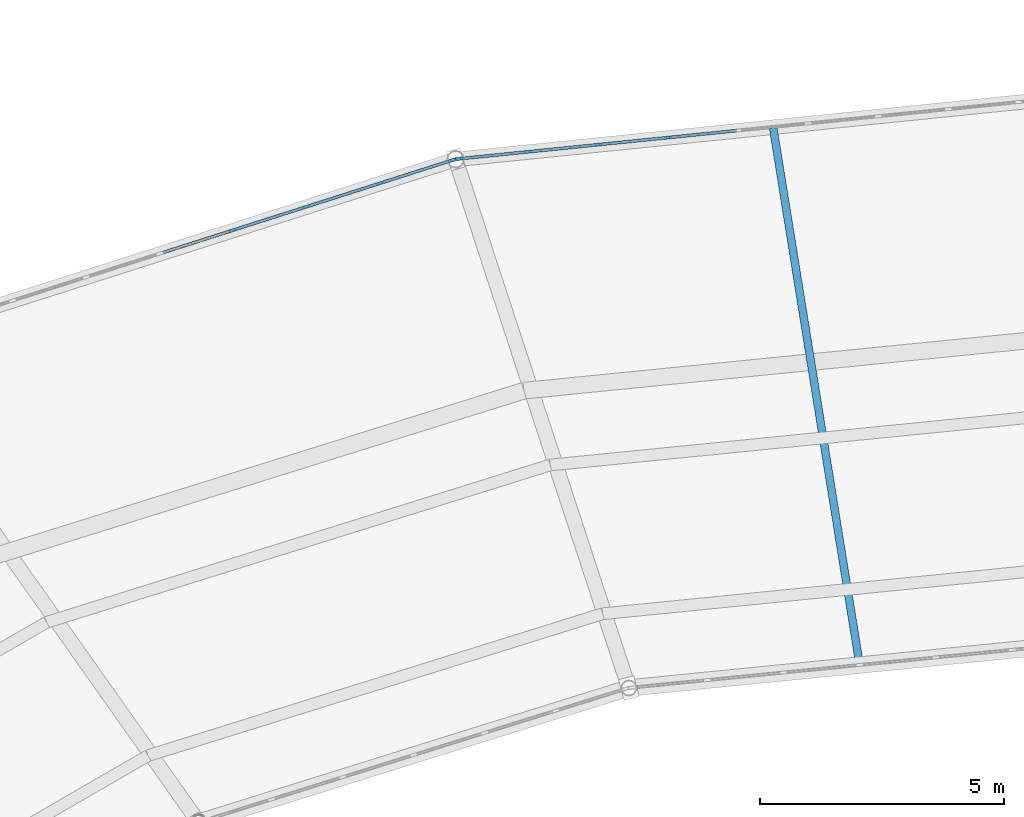
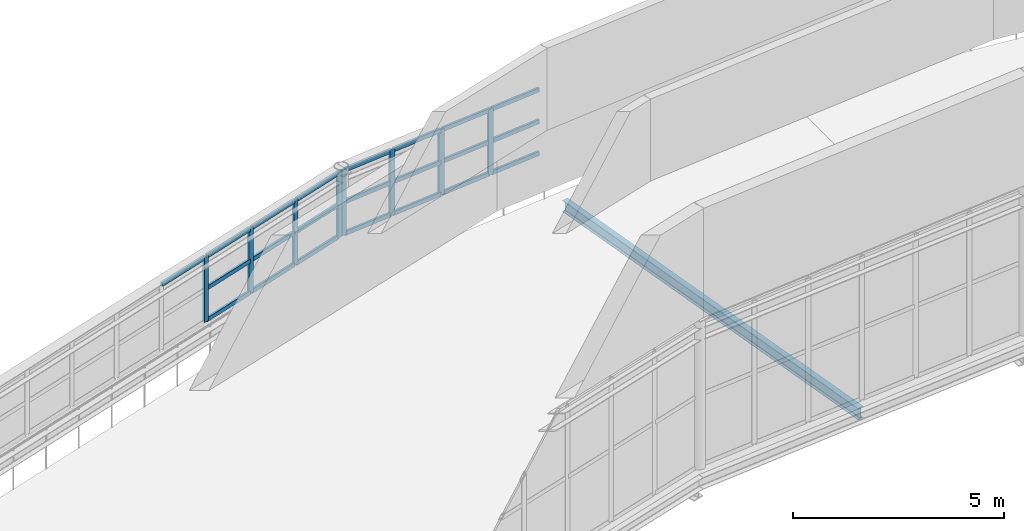
# One storey, part 51 of 123: 30 members, 1 beam, 2 elements without a shape of their own.
"""IFC4 building model written with IfcOpenShell, lengths in metres."""

import ifcopenshell
import ifcopenshell.guid

model = None  # the IFC model being written
_history = None  # IfcOwnerHistory: only IFC2X3 demands one
_inside = {}  # id of a spatial element -> (the spatial element, [elements in it])
_under = {}  # id of a project, library or spatial element -> (it, [spatial elements below it])
_declared = {}  # id of a project -> (the project, [libraries it declares])
_typed = {}  # id of a type object -> (the type object, [elements of that type])
_made_of = {}  # id of a material, layer set ... -> (it, [elements and type objects made of it])


def new_model(schema):
    """Start an empty IFC model of exactly this schema.

    Asked for "IFC4X3", IfcOpenShell would pick the latest addendum, in which some entities
    have other attributes; the version numbers below select the first issue.
    IFC2X3 requires an IfcOwnerHistory on every rooted entity: one is made here for all.
    """
    global model, _history
    if schema == "IFC4X3":
        model = ifcopenshell.file(schema_version=(4, 3, 0, 0))
    else:
        model = ifcopenshell.file(schema=schema)
    _inside.clear()
    _under.clear()
    _declared.clear()
    _typed.clear()
    _made_of.clear()
    _history = None
    if model.schema == "IFC2X3":
        org = make("IfcOrganization", Name="unknown")
        user = make(
            "IfcPersonAndOrganization",
            ThePerson=make("IfcPerson", FamilyName="unknown"),
            TheOrganization=org,
        )
        app = make(
            "IfcApplication",
            ApplicationDeveloper=org,
            Version="unknown",
            ApplicationFullName="unknown",
            ApplicationIdentifier="unknown",
        )
        _history = make(
            "IfcOwnerHistory",
            OwningUser=user,
            OwningApplication=app,
            ChangeAction="ADDED",
            CreationDate=0,
        )
    return model


def make(cls, **values):
    """One entity of the class cls with the attributes given. An attribute that is None is left unset."""
    return model.create_entity(
        cls, **{name: value for name, value in values.items() if value is not None}
    )


def rooted(cls, **values):
    """An entity with a GlobalId (a new one), such as an element, a storey or a relation."""
    return make(cls, GlobalId=ifcopenshell.guid.new(), OwnerHistory=_history, **values)


def si_unit(unit_type, name, prefix=None):
    """IfcSIUnit, for example si_unit("LENGTHUNIT", "METRE", prefix="MILLI")."""
    return make("IfcSIUnit", UnitType=unit_type, Prefix=prefix, Name=name)


def assignment(units):
    """IfcUnitAssignment: the units of a project."""
    return None if units is None else make("IfcUnitAssignment", Units=units)


def point(xyz):
    """IfcCartesianPoint."""
    return None if xyz is None else make("IfcCartesianPoint", Coordinates=xyz)


def direction(xyz):
    """IfcDirection."""
    return None if xyz is None else make("IfcDirection", DirectionRatios=xyz)


def frame(location, z_axis=None, x_axis=None):
    """IfcAxis2Placement3D, a coordinate frame: its origin and axes. An axis left out is left unset."""
    return make(
        "IfcAxis2Placement3D",
        Location=point(location),
        Axis=direction(z_axis),
        RefDirection=direction(x_axis),
    )


def frame_2d(location, x_axis=None):
    """IfcAxis2Placement2D, a coordinate frame in the plane: its origin and x axis."""
    return make(
        "IfcAxis2Placement2D", Location=point(location), RefDirection=direction(x_axis)
    )


def origin():
    """The frame at (0, 0, 0) with its axes left unset."""
    return frame((0.0, 0.0, 0.0))


def origin_2d():
    """The frame at (0, 0) in the plane with its x axis left unset."""
    return frame_2d((0.0, 0.0))


def place(relative_to, where):
    """IfcLocalPlacement: puts the frame where relative to a parent placement (None: the world)."""
    return make(
        "IfcLocalPlacement", PlacementRelTo=relative_to, RelativePlacement=where
    )


def context(
    kind, dimensions, precision=None, world=None, true_north=None, identifier=None
):
    """IfcGeometricRepresentationContext, for example the 3D "Model" context."""
    return make(
        "IfcGeometricRepresentationContext",
        ContextIdentifier=identifier,
        ContextType=kind,
        CoordinateSpaceDimension=dimensions,
        Precision=precision,
        WorldCoordinateSystem=world,
        TrueNorth=true_north,
    )


def subcontext(parent, identifier, kind, view, scale=None):
    """IfcGeometricRepresentationSubContext, for example "Body" below "Model"."""
    return make(
        "IfcGeometricRepresentationSubContext",
        ContextIdentifier=identifier,
        ContextType=kind,
        ParentContext=parent,
        TargetScale=scale,
        TargetView=view,
    )


def project(units=None, contexts=None):
    """IfcProject with its units and contexts."""
    return rooted(
        "IfcProject",
        Name="project",
        RepresentationContexts=contexts,
        UnitsInContext=assignment(units),
    )


def spatial(cls, under=None, at=None, **own):
    """A site, building, storey or space (cls), placed at a placement, below another one or the project."""
    s = rooted(cls, ObjectPlacement=at, **own)
    if under is not None:
        _under.setdefault(under.id(), (under, []))[1].append(s)
    return s


def profile(cls, at=None, kind="AREA", **sizes):
    """A parametric profile (cls). Its sizes go by their IFC names, for example OverallWidth=200.0."""
    return make(cls, ProfileType=kind, Position=at, **sizes)


def rectangle(**sizes):
    """IfcRectangleProfileDef."""
    return profile("IfcRectangleProfileDef", **sizes)


def i_section(**sizes):
    """IfcIShapeProfileDef."""
    return profile("IfcIShapeProfileDef", **sizes)


def extrude(swept, where, along, depth):
    """IfcExtrudedAreaSolid: the profile swept, set in the frame where, extruded along a direction by depth."""
    return make(
        "IfcExtrudedAreaSolid",
        SweptArea=swept,
        Position=where,
        ExtrudedDirection=direction(along),
        Depth=depth,
    )


def shape(context_of_items, identifier, shape_type, items):
    """IfcShapeRepresentation: the items that make up one representation, for example the "Body"."""
    return make(
        "IfcShapeRepresentation",
        ContextOfItems=context_of_items,
        RepresentationIdentifier=identifier,
        RepresentationType=shape_type,
        Items=items,
    )


def material(Name=None, Category=None):
    """IfcMaterial."""
    return make("IfcMaterial", Name=Name, Category=Category)


def material_profile(
    of_material, cross_section, Name=None, Category=None, Priority=None
):
    """IfcMaterialProfile: a cross section and its material."""
    return make(
        "IfcMaterialProfile",
        Name=Name,
        Material=of_material,
        Profile=cross_section,
        Priority=Priority,
        Category=Category,
    )


def profile_set(profiles, Name=None, composite=None):
    """IfcMaterialProfileSet."""
    return make(
        "IfcMaterialProfileSet",
        Name=Name,
        MaterialProfiles=profiles,
        CompositeProfile=composite,
    )


def made_of(thing, what):
    """Note that an element or type object is made of a material, layer set ...; save() writes the relation."""
    if what is not None:
        _made_of.setdefault(what.id(), (what, []))[1].append(thing)
    return thing


def type_object(cls, material=None, **own):
    """A type object (cls), such as IfcWallType, which elements share."""
    return made_of(rooted(cls, **own), material)


def element(
    cls,
    number,
    at=None,
    inside=None,
    cuts=None,
    type_object=None,
    material=None,
    context=None,
    identifier="Body",
    shape_type=None,
    held_by="IfcProductDefinitionShape",
    body=None,
    shapes=None,
    **own,
):
    """One element of the class cls, such as IfcWall. Its Tag is "e" and its number.

    at: its placement. inside: the storey or other place that contains it. cuts: it is an
    opening in that element (IfcRelVoidsElement). A single representation is given by context,
    identifier, shape_type and body (its items); several are given by shapes. held_by: the class
    of the entity that holds the representations. save() writes the other relations.
    """
    e = rooted(cls, Tag="e%d" % number, ObjectPlacement=at, **own)
    if body is not None:
        shapes = [shape(context, identifier, shape_type, body)]
    if shapes is not None:
        e.Representation = make(held_by, Representations=shapes)
    if inside is not None:
        _inside.setdefault(inside.id(), (inside, []))[1].append(e)
    if cuts is not None:
        rooted(
            "IfcRelVoidsElement", RelatingBuildingElement=cuts, RelatedOpeningElement=e
        )
    if type_object is not None:
        _typed.setdefault(type_object.id(), (type_object, []))[1].append(e)
    return made_of(e, material)


def aggregate(whole, parts):
    """IfcRelAggregates: a whole, such as a stair, and the parts it consists of."""
    return rooted("IfcRelAggregates", RelatingObject=whole, RelatedObjects=parts)


def save(model, path):
    """Write the relations noted so far, then the file.

    IfcRelAggregates (storeys below a building ...), IfcRelContainedInSpatialStructure (elements
    in a storey), IfcRelDefinesByType, IfcRelAssociatesMaterial and IfcRelDeclares: one each for
    every whole, place, type object, material and project.
    """
    for whole, parts in _under.values():
        aggregate(whole, parts)
    for where, things in _inside.values():
        rooted(
            "IfcRelContainedInSpatialStructure",
            RelatedElements=things,
            RelatingStructure=where,
        )
    for kind, things in _typed.values():
        rooted("IfcRelDefinesByType", RelatedObjects=things, RelatingType=kind)
    for what, things in _made_of.values():
        rooted("IfcRelAssociatesMaterial", RelatedObjects=things, RelatingMaterial=what)
    for by, libraries in _declared.values():
        rooted("IfcRelDeclares", RelatingContext=by, RelatedDefinitions=libraries)
    model.write(path)


model = new_model("IFC4")

# Units and contexts
model_context = context("Model", 3, precision=1e-05, world=origin(), true_north=direction((0.0, 1.0)))
body_context = subcontext(model_context, "Body", "Model", "MODEL_VIEW")
ifc_project = project(units=[si_unit("LENGTHUNIT", "METRE"), si_unit("AREAUNIT", "SQUARE_METRE"), si_unit("VOLUMEUNIT", "CUBIC_METRE"), si_unit("PLANEANGLEUNIT", "RADIAN"), si_unit("MASSUNIT", "GRAM", prefix="KILO")], contexts=[model_context])

# Site, building, storey
site_placement = place(None, origin())
site = spatial("IfcSite", under=ifc_project, at=site_placement, CompositionType="ELEMENT")
building_placement = place(site_placement, origin())
building = spatial("IfcBuilding", under=site, at=building_placement, Name="Kildeholm Park Wholesale Market", CompositionType="ELEMENT")
storey_placement = place(building_placement, frame((0.0, 0.0, 9.60009765625)))
storey = spatial("IfcBuildingStorey", under=building, at=storey_placement, Name="L02", CompositionType="ELEMENT", Elevation=9.60009765625)

# Beam
ifc_material_1 = material(Name="Steel S355", Category="steel")
ifc_material_profile_1 = material_profile(ifc_material_1, i_section(OverallWidth=0.159912109375, OverallDepth=0.330078125, WebThickness=0.007568359375, FlangeThickness=0.011474609375, FilletRadius=0.01806640625, at=origin_2d()), Name="IPE 330")
ifc_profile_set_1 = profile_set([ifc_material_profile_1], Name="Steel S355")
beam_type = type_object("IfcBeamType", Name="Beam J-03 IPE 330", PredefinedType="JOIST", material=ifc_profile_set_1)
beam_placement = place(storey_placement, frame((94.273193359375, 116.55126953125, -0.4150390625), z_axis=(-0.158998239013, 0.987278866375, 0.0), x_axis=(-0.987278866375, -0.158998239013, 0.0)))
element("IfcBeam", 1, at=beam_placement, inside=storey, type_object=beam_type, Name="Beam JT-V1-L02-06 BM-0065", PredefinedType="JOIST", context=body_context, shape_type="SweptSolid", body=[
    extrude(i_section(OverallWidth=0.159912109375, OverallDepth=0.330078125, WebThickness=0.007568359375, FlangeThickness=0.011474609375, FilletRadius=0.01806640625, at=origin_2d()), origin(), (0.0, 0.0, 1.0), 11.11083984375),
])

# Curtain wall, members
ifc_material_2 = material(Name="Anodised aluminium and low-E double-glazed glass", Category="aluminium")
curtain_wall_type = type_object("IfcCurtainWallType", Name="Clerestory daylight stick curtain wall CW-02", PredefinedType="NOTDEFINED", material=ifc_material_2)
curtain_wall_1_placement = place(storey_placement, origin())
curtain_wall_1 = element("IfcCurtainWall", 2, at=curtain_wall_1_placement, inside=storey, type_object=curtain_wall_type, Name="Curtain wall CW-V1-CL-06 CW-0031", PredefinedType="NOTDEFINED")
ifc_material_3 = material(Name="Anodised aluminium", Category="aluminium")
ifc_material_profile_2 = material_profile(ifc_material_3, rectangle(XDim=0.06005859375, YDim=0.14990234375, at=origin_2d()), Name="CWM 60x150")
ifc_profile_set_2 = profile_set([ifc_material_profile_2], Name="Anodised aluminium")
member_type_1 = type_object("IfcMemberType", Name="Curtain-wall mullion CWM-3 CWM 60x150", PredefinedType="MULLION", material=ifc_profile_set_2)
member_1_placement = place(storey_placement, frame((90.3505859375, 127.325927734375, 1.349853515625), z_axis=(0.0, 0.0, 1.0), x_axis=(0.100998628351, -0.994886564926, 0.0)))
member_1 = element("IfcMember", 3, at=member_1_placement, type_object=member_type_1, Name="CW-02 mullion 7 MEM-1242", PredefinedType="MULLION", context=body_context, shape_type="SweptSolid", body=[
    extrude(rectangle(XDim=0.06005859375, YDim=0.14990234375, at=origin_2d()), origin(), (0.0, 0.0, 1.0), 1.900146484375),
])
member_2_placement = place(storey_placement, frame((88.915771484375, 127.180419921875, 1.349853515625), z_axis=(0.0, 0.0, 1.0), x_axis=(0.100998628351, -0.994886564926, 0.0)))
member_2 = element("IfcMember", 4, at=member_2_placement, type_object=member_type_1, Name="CW-02 mullion 8 MEM-1243", PredefinedType="MULLION", context=body_context, shape_type="SweptSolid", body=[
    extrude(rectangle(XDim=0.06005859375, YDim=0.14990234375, at=origin_2d()), origin(), (0.0, 0.0, 1.0), 1.900146484375),
])
member_3_placement = place(storey_placement, frame((87.48095703125, 127.03466796875, 1.349853515625), z_axis=(0.0, 0.0, 1.0), x_axis=(0.100998628351, -0.994886564926, 0.0)))
member_3 = element("IfcMember", 5, at=member_3_placement, type_object=member_type_1, Name="CW-02 mullion 9 MEM-1244", PredefinedType="MULLION", context=body_context, shape_type="SweptSolid", body=[
    extrude(rectangle(XDim=0.06005859375, YDim=0.14990234375, at=origin_2d()), origin(), (0.0, 0.0, 1.0), 1.900146484375),
])
member_4_placement = place(storey_placement, frame((86.075927734375, 126.89208984375, 1.349853515625), z_axis=(0.0, 0.0, 1.0), x_axis=(0.100998628351, -0.994886564926, 0.0)))
member_4 = element("IfcMember", 6, at=member_4_placement, type_object=member_type_1, Name="CW-02 mullion 10 MEM-1245", PredefinedType="MULLION", context=body_context, shape_type="SweptSolid", body=[
    extrude(rectangle(XDim=0.06005859375, YDim=0.14990234375, at=origin_2d()), origin(), (0.0, 0.0, 1.0), 1.900146484375),
])

curtain_wall_2_placement = place(storey_placement, origin())
curtain_wall_2 = element("IfcCurtainWall", 7, at=curtain_wall_2_placement, inside=storey, type_object=curtain_wall_type, Name="Curtain wall CW-V1-CL-07 CW-0036", PredefinedType="NOTDEFINED")
member_5_placement = place(storey_placement, frame((85.9384765625, 126.86376953125, 1.349853515625), z_axis=(0.0, 0.0, 1.0), x_axis=(0.304206822997, -0.952606009241, 0.0)))
member_5 = element("IfcMember", 8, at=member_5_placement, type_object=member_type_1, Name="CW-02 mullion 1 MEM-1389", PredefinedType="MULLION", context=body_context, shape_type="SweptSolid", body=[
    extrude(rectangle(XDim=0.06005859375, YDim=0.14990234375, at=origin_2d()), origin(), (0.0, 0.0, 1.0), 1.900146484375),
])
member_6_placement = place(storey_placement, frame((84.463134765625, 126.392822265625, 1.349853515625), z_axis=(0.0, 0.0, 1.0), x_axis=(0.304206822997, -0.952606009241, 0.0)))
member_6 = element("IfcMember", 9, at=member_6_placement, type_object=member_type_1, Name="CW-02 mullion 2 MEM-1390", PredefinedType="MULLION", context=body_context, shape_type="SweptSolid", body=[
    extrude(rectangle(XDim=0.06005859375, YDim=0.14990234375, at=origin_2d()), origin(), (0.0, 0.0, 1.0), 1.900146484375),
])
member_7_placement = place(storey_placement, frame((82.959228515625, 125.91259765625, 1.349853515625), z_axis=(0.0, 0.0, 1.0), x_axis=(0.304206822997, -0.952606009241, 0.0)))
member_7 = element("IfcMember", 10, at=member_7_placement, type_object=member_type_1, Name="CW-02 mullion 3 MEM-1391", PredefinedType="MULLION", context=body_context, shape_type="SweptSolid", body=[
    extrude(rectangle(XDim=0.06005859375, YDim=0.14990234375, at=origin_2d()), origin(), (0.0, 0.0, 1.0), 1.900146484375),
])
member_8_placement = place(storey_placement, frame((81.455322265625, 125.43212890625, 1.349853515625), z_axis=(0.0, 0.0, 1.0), x_axis=(0.304206822997, -0.952606009241, 0.0)))
member_8 = element("IfcMember", 11, at=member_8_placement, type_object=member_type_1, Name="CW-02 mullion 4 MEM-1392", PredefinedType="MULLION", context=body_context, shape_type="SweptSolid", body=[
    extrude(rectangle(XDim=0.06005859375, YDim=0.14990234375, at=origin_2d()), origin(), (0.0, 0.0, 1.0), 1.900146484375),
])

# Member
ifc_material_profile_3 = material_profile(ifc_material_3, rectangle(XDim=0.06005859375, YDim=0.1201171875, at=origin_2d()), Name="CWT 60x120")
ifc_profile_set_3 = profile_set([ifc_material_profile_3], Name="Anodised aluminium")
member_type_2 = type_object("IfcMemberType", Name="Curtain-wall transom CWT-3 CWT 60x120", PredefinedType="USERDEFINED", material=ifc_profile_set_3)
member_9_placement = place(storey_placement, frame((91.755615234375, 127.46875, 1.3798828125), z_axis=(-0.994882088655, -0.101042712129, 0.0), x_axis=(0.101042712129, -0.994882088655, 0.0)))
member_9 = element("IfcMember", 12, at=member_9_placement, type_object=member_type_2, Name="CW-02 transom 6.1 MEM-1261", ObjectType="TRANSOM", PredefinedType="USERDEFINED", context=body_context, shape_type="SweptSolid", body=[
    extrude(rectangle(XDim=0.06005859375, YDim=0.1201171875, at=origin_2d()), origin(), (0.0, 0.0, 1.0), 1.382080078125),
])

member_10_placement = place(storey_placement, frame((91.755615234375, 127.46875, 2.2998046875), z_axis=(-0.994882088655, -0.101042712129, 0.0), x_axis=(0.101042712129, -0.994882088655, 0.0)))
member_10 = element("IfcMember", 13, at=member_10_placement, type_object=member_type_2, Name="CW-02 transom 6.2 MEM-1262", ObjectType="TRANSOM", PredefinedType="USERDEFINED", context=body_context, shape_type="SweptSolid", body=[
    extrude(rectangle(XDim=0.06005859375, YDim=0.1201171875, at=origin_2d()), origin(), (0.0, 0.0, 1.0), 1.382080078125),
])

member_11_placement = place(storey_placement, frame((91.755615234375, 127.46875, 3.219970703125), z_axis=(-0.994882088655, -0.101042712129, 0.0), x_axis=(0.101042712129, -0.994882088655, 0.0)))
member_11 = element("IfcMember", 14, at=member_11_placement, type_object=member_type_2, Name="CW-02 transom 6.3 MEM-1263", ObjectType="TRANSOM", PredefinedType="USERDEFINED", context=body_context, shape_type="SweptSolid", body=[
    extrude(rectangle(XDim=0.06005859375, YDim=0.1201171875, at=origin_2d()), origin(), (0.0, 0.0, 1.0), 1.382080078125),
])

member_12_placement = place(storey_placement, frame((90.32080078125, 127.322998046875, 1.3798828125), z_axis=(-0.994883891691, -0.10102495758, 0.0), x_axis=(0.10102495758, -0.994883891691, 0.0)))
member_12 = element("IfcMember", 15, at=member_12_placement, type_object=member_type_2, Name="CW-02 transom 7.1 MEM-1264", ObjectType="TRANSOM", PredefinedType="USERDEFINED", context=body_context, shape_type="SweptSolid", body=[
    extrude(rectangle(XDim=0.06005859375, YDim=0.1201171875, at=origin_2d()), origin(), (0.0, 0.0, 1.0), 1.38232421875),
])

member_13_placement = place(storey_placement, frame((90.32080078125, 127.322998046875, 2.2998046875), z_axis=(-0.994883891691, -0.10102495758, 0.0), x_axis=(0.10102495758, -0.994883891691, 0.0)))
member_13 = element("IfcMember", 16, at=member_13_placement, type_object=member_type_2, Name="CW-02 transom 7.2 MEM-1265", ObjectType="TRANSOM", PredefinedType="USERDEFINED", context=body_context, shape_type="SweptSolid", body=[
    extrude(rectangle(XDim=0.06005859375, YDim=0.1201171875, at=origin_2d()), origin(), (0.0, 0.0, 1.0), 1.38232421875),
])

member_14_placement = place(storey_placement, frame((90.32080078125, 127.322998046875, 3.219970703125), z_axis=(-0.994883891691, -0.10102495758, 0.0), x_axis=(0.10102495758, -0.994883891691, 0.0)))
member_14 = element("IfcMember", 17, at=member_14_placement, type_object=member_type_2, Name="CW-02 transom 7.3 MEM-1266", ObjectType="TRANSOM", PredefinedType="USERDEFINED", context=body_context, shape_type="SweptSolid", body=[
    extrude(rectangle(XDim=0.06005859375, YDim=0.1201171875, at=origin_2d()), origin(), (0.0, 0.0, 1.0), 1.38232421875),
])

member_15_placement = place(storey_placement, frame((88.885986328125, 127.17724609375, 1.3798828125), z_axis=(-0.994883891691, -0.10102495758, 0.0), x_axis=(0.10102495758, -0.994883891691, 0.0)))
member_15 = element("IfcMember", 18, at=member_15_placement, type_object=member_type_2, Name="CW-02 transom 8.1 MEM-1267", ObjectType="TRANSOM", PredefinedType="USERDEFINED", context=body_context, shape_type="SweptSolid", body=[
    extrude(rectangle(XDim=0.06005859375, YDim=0.1201171875, at=origin_2d()), origin(), (0.0, 0.0, 1.0), 1.38232421875),
])

member_16_placement = place(storey_placement, frame((88.885986328125, 127.17724609375, 2.2998046875), z_axis=(-0.994883891691, -0.10102495758, 0.0), x_axis=(0.10102495758, -0.994883891691, 0.0)))
member_16 = element("IfcMember", 19, at=member_16_placement, type_object=member_type_2, Name="CW-02 transom 8.2 MEM-1268", ObjectType="TRANSOM", PredefinedType="USERDEFINED", context=body_context, shape_type="SweptSolid", body=[
    extrude(rectangle(XDim=0.06005859375, YDim=0.1201171875, at=origin_2d()), origin(), (0.0, 0.0, 1.0), 1.38232421875),
])

member_17_placement = place(storey_placement, frame((88.885986328125, 127.17724609375, 3.219970703125), z_axis=(-0.994883891691, -0.10102495758, 0.0), x_axis=(0.10102495758, -0.994883891691, 0.0)))
member_17 = element("IfcMember", 20, at=member_17_placement, type_object=member_type_2, Name="CW-02 transom 8.3 MEM-1269", ObjectType="TRANSOM", PredefinedType="USERDEFINED", context=body_context, shape_type="SweptSolid", body=[
    extrude(rectangle(XDim=0.06005859375, YDim=0.1201171875, at=origin_2d()), origin(), (0.0, 0.0, 1.0), 1.38232421875),
])

member_18_placement = place(storey_placement, frame((87.450927734375, 127.03173828125, 1.3798828125), z_axis=(-0.994874996086, -0.101112522288, 0.0), x_axis=(0.101112522288, -0.994874996086, 0.0)))
member_18 = element("IfcMember", 21, at=member_18_placement, type_object=member_type_2, Name="CW-02 transom 9.1 MEM-1270", ObjectType="TRANSOM", PredefinedType="USERDEFINED", context=body_context, shape_type="SweptSolid", body=[
    extrude(rectangle(XDim=0.06005859375, YDim=0.1201171875, at=origin_2d()), origin(), (0.0, 0.0, 1.0), 1.35205078125),
])

member_19_placement = place(storey_placement, frame((87.450927734375, 127.03173828125, 2.2998046875), z_axis=(-0.994874996086, -0.101112522288, 0.0), x_axis=(0.101112522288, -0.994874996086, 0.0)))
member_19 = element("IfcMember", 22, at=member_19_placement, type_object=member_type_2, Name="CW-02 transom 9.2 MEM-1271", ObjectType="TRANSOM", PredefinedType="USERDEFINED", context=body_context, shape_type="SweptSolid", body=[
    extrude(rectangle(XDim=0.06005859375, YDim=0.1201171875, at=origin_2d()), origin(), (0.0, 0.0, 1.0), 1.35205078125),
])

member_20_placement = place(storey_placement, frame((87.450927734375, 127.03173828125, 3.219970703125), z_axis=(-0.994874996086, -0.101112522288, 0.0), x_axis=(0.101112522288, -0.994874996086, 0.0)))
member_20 = element("IfcMember", 23, at=member_20_placement, type_object=member_type_2, Name="CW-02 transom 9.3 MEM-1272", ObjectType="TRANSOM", PredefinedType="USERDEFINED", context=body_context, shape_type="SweptSolid", body=[
    extrude(rectangle(XDim=0.06005859375, YDim=0.1201171875, at=origin_2d()), origin(), (0.0, 0.0, 1.0), 1.35205078125),
])

aggregate(curtain_wall_1, [member_1, member_2, member_3, member_4, member_9, member_10, member_11, member_12, member_13, member_14, member_15, member_16, member_17, member_18, member_19, member_20])

member_21_placement = place(storey_placement, frame((85.909912109375, 126.854736328125, 1.3798828125), z_axis=(-0.952608667533, -0.304198498584, 0.0), x_axis=(0.304198498584, -0.952608667533, 0.0)))
member_21 = element("IfcMember", 24, at=member_21_placement, type_object=member_type_2, Name="CW-02 transom 1.1 MEM-1398", ObjectType="TRANSOM", PredefinedType="USERDEFINED", context=body_context, shape_type="SweptSolid", body=[
    extrude(rectangle(XDim=0.06005859375, YDim=0.1201171875, at=origin_2d()), origin(), (0.0, 0.0, 1.0), 1.48876953125),
])

member_22_placement = place(storey_placement, frame((85.909912109375, 126.854736328125, 2.2998046875), z_axis=(-0.952608667533, -0.304198498584, 0.0), x_axis=(0.304198498584, -0.952608667533, 0.0)))
member_22 = element("IfcMember", 25, at=member_22_placement, type_object=member_type_2, Name="CW-02 transom 1.2 MEM-1399", ObjectType="TRANSOM", PredefinedType="USERDEFINED", context=body_context, shape_type="SweptSolid", body=[
    extrude(rectangle(XDim=0.06005859375, YDim=0.1201171875, at=origin_2d()), origin(), (0.0, 0.0, 1.0), 1.48876953125),
])

member_23_placement = place(storey_placement, frame((85.909912109375, 126.854736328125, 3.219970703125), z_axis=(-0.952608667533, -0.304198498584, 0.0), x_axis=(0.304198498584, -0.952608667533, 0.0)))
member_23 = element("IfcMember", 26, at=member_23_placement, type_object=member_type_2, Name="CW-02 transom 1.3 MEM-1400", ObjectType="TRANSOM", PredefinedType="USERDEFINED", context=body_context, shape_type="SweptSolid", body=[
    extrude(rectangle(XDim=0.06005859375, YDim=0.1201171875, at=origin_2d()), origin(), (0.0, 0.0, 1.0), 1.48876953125),
])

member_24_placement = place(storey_placement, frame((84.4345703125, 126.383544921875, 1.3798828125), z_axis=(-0.952625522419, -0.304145711849, 0.0), x_axis=(0.304145711849, -0.952625522419, 0.0)))
member_24 = element("IfcMember", 27, at=member_24_placement, type_object=member_type_2, Name="CW-02 transom 2.1 MEM-1401", ObjectType="TRANSOM", PredefinedType="USERDEFINED", context=body_context, shape_type="SweptSolid", body=[
    extrude(rectangle(XDim=0.06005859375, YDim=0.1201171875, at=origin_2d()), origin(), (0.0, 0.0, 1.0), 1.518798828125),
])

member_25_placement = place(storey_placement, frame((84.4345703125, 126.383544921875, 2.2998046875), z_axis=(-0.952625522419, -0.304145711849, 0.0), x_axis=(0.304145711849, -0.952625522419, 0.0)))
member_25 = element("IfcMember", 28, at=member_25_placement, type_object=member_type_2, Name="CW-02 transom 2.2 MEM-1402", ObjectType="TRANSOM", PredefinedType="USERDEFINED", context=body_context, shape_type="SweptSolid", body=[
    extrude(rectangle(XDim=0.06005859375, YDim=0.1201171875, at=origin_2d()), origin(), (0.0, 0.0, 1.0), 1.518798828125),
])

member_26_placement = place(storey_placement, frame((84.4345703125, 126.383544921875, 3.219970703125), z_axis=(-0.952625522419, -0.304145711849, 0.0), x_axis=(0.304145711849, -0.952625522419, 0.0)))
member_26 = element("IfcMember", 29, at=member_26_placement, type_object=member_type_2, Name="CW-02 transom 2.3 MEM-1403", ObjectType="TRANSOM", PredefinedType="USERDEFINED", context=body_context, shape_type="SweptSolid", body=[
    extrude(rectangle(XDim=0.06005859375, YDim=0.1201171875, at=origin_2d()), origin(), (0.0, 0.0, 1.0), 1.518798828125),
])

member_27_placement = place(storey_placement, frame((82.9306640625, 125.9033203125, 1.3798828125), z_axis=(-0.952625522419, -0.304145711849, 0.0), x_axis=(0.304145711849, -0.952625522419, 0.0)))
member_27 = element("IfcMember", 30, at=member_27_placement, type_object=member_type_2, Name="CW-02 transom 3.1 MEM-1404", ObjectType="TRANSOM", PredefinedType="USERDEFINED", context=body_context, shape_type="SweptSolid", body=[
    extrude(rectangle(XDim=0.06005859375, YDim=0.1201171875, at=origin_2d()), origin(), (0.0, 0.0, 1.0), 1.518798828125),
])

member_28_placement = place(storey_placement, frame((82.9306640625, 125.9033203125, 2.2998046875), z_axis=(-0.952625522419, -0.304145711849, 0.0), x_axis=(0.304145711849, -0.952625522419, 0.0)))
member_28 = element("IfcMember", 31, at=member_28_placement, type_object=member_type_2, Name="CW-02 transom 3.2 MEM-1405", ObjectType="TRANSOM", PredefinedType="USERDEFINED", context=body_context, shape_type="SweptSolid", body=[
    extrude(rectangle(XDim=0.06005859375, YDim=0.1201171875, at=origin_2d()), origin(), (0.0, 0.0, 1.0), 1.518798828125),
])

member_29_placement = place(storey_placement, frame((82.9306640625, 125.9033203125, 3.219970703125), z_axis=(-0.952625522419, -0.304145711849, 0.0), x_axis=(0.304145711849, -0.952625522419, 0.0)))
member_29 = element("IfcMember", 32, at=member_29_placement, type_object=member_type_2, Name="CW-02 transom 3.3 MEM-1406", ObjectType="TRANSOM", PredefinedType="USERDEFINED", context=body_context, shape_type="SweptSolid", body=[
    extrude(rectangle(XDim=0.06005859375, YDim=0.1201171875, at=origin_2d()), origin(), (0.0, 0.0, 1.0), 1.518798828125),
])

member_30_placement = place(storey_placement, frame((81.4267578125, 125.423095703125, 3.219970703125), z_axis=(-0.952625522419, -0.304145711849, 0.0), x_axis=(0.304145711849, -0.952625522419, 0.0)))
member_30 = element("IfcMember", 33, at=member_30_placement, type_object=member_type_2, Name="CW-02 transom 4.3 MEM-1409", ObjectType="TRANSOM", PredefinedType="USERDEFINED", context=body_context, shape_type="SweptSolid", body=[
    extrude(rectangle(XDim=0.06005859375, YDim=0.1201171875, at=origin_2d()), origin(), (0.0, 0.0, 1.0), 1.518798828125),
])

aggregate(curtain_wall_2, [member_5, member_6, member_7, member_8, member_21, member_22, member_23, member_24, member_25, member_26, member_27, member_28, member_29, member_30])

save(model, "model.ifc")
